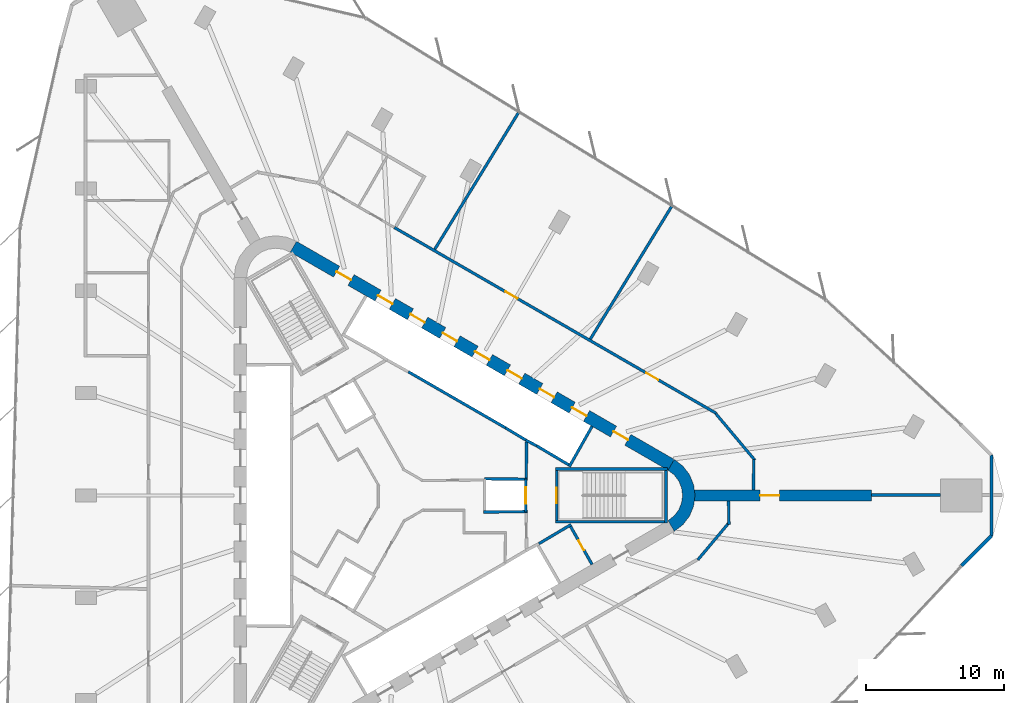
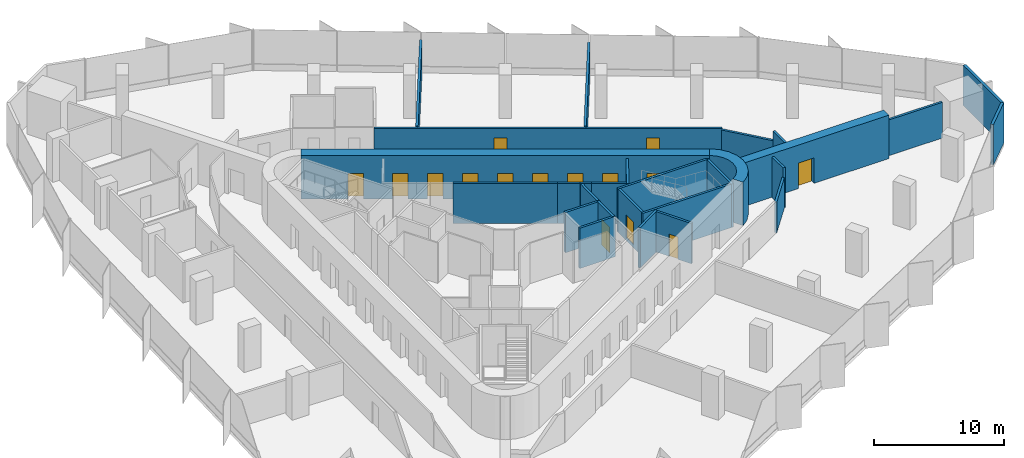
# One storey, part 12 of 14: 28 walls, 15 doors, 15 openings.
"""IFC4 building model written with IfcOpenShell, lengths in metres."""

from ifc_helpers import new_model, si_unit, direction, frame, frame_2d, origin, place, context, subcontext, project, spatial, polyline, rectangle, outline, extrude, material, layer, layer_set, type_object, element, fill, save


model = new_model("IFC4")

# Units and contexts
model_context = context("Model", 3, precision=1e-05, world=origin(), true_north=direction((0.0, 1.0)))
body_context = subcontext(model_context, "Body", "Model", "MODEL_VIEW")
ifc_project = project(units=[si_unit("LENGTHUNIT", "METRE"), si_unit("AREAUNIT", "SQUARE_METRE"), si_unit("VOLUMEUNIT", "CUBIC_METRE"), si_unit("PLANEANGLEUNIT", "RADIAN"), si_unit("MASSUNIT", "GRAM", prefix="KILO")], contexts=[model_context])

# Site, building, storey
site_placement = place(None, origin())
site = spatial("IfcSite", under=ifc_project, at=site_placement, CompositionType="ELEMENT")
building_placement = place(site_placement, origin())
building = spatial("IfcBuilding", under=site, at=building_placement, Name="Tanit Gate Tower", CompositionType="ELEMENT")
storey_placement = place(building_placement, frame((0.0, 0.0, 127.5)))
storey = spatial("IfcBuildingStorey", under=building, at=storey_placement, Name="L27", CompositionType="ELEMENT", Elevation=127.5)

# Wall, opening, door
ifc_material_1 = material(Name="Concrete C60/75", Category="concrete")
ifc_layer_1 = layer(ifc_material_1, 0.800048828125)
ifc_layer_set_1 = layer_set([ifc_layer_1], Name="BUTTRESS FIN 800 C60/75")
wall_type_1 = type_object("IfcWallType", Name="BUTTRESS FIN 800 C60/75", PredefinedType="SHEAR", material=ifc_layer_set_1)
wall_1_placement = place(storey_placement, frame((21.14990234375, 0.0, 0.0), z_axis=(0.0, 0.0, 1.0), x_axis=(1.0, 0.0, 0.0)))
wall_1 = element("IfcWall", 1, at=wall_1_placement, inside=storey, type_object=wall_type_1, Name="BUTTRESS FIN", PredefinedType="SHEAR", context=body_context, shape_type="SweptSolid", body=[
    extrude(rectangle(XDim=12.8125, YDim=0.800048828125, at=frame_2d((6.40625, 0.0))), origin(), (0.0, 0.0, 1.0), 4.10009765625),
])
opening_1_placement = place(wall_1_placement, frame((4.75, 0.0, 0.0)))
opening_1 = element("IfcOpeningElement", 2, at=opening_1_placement, cuts=wall_1, Name="Opening P14-S06-F-E-1", PredefinedType="OPENING", context=body_context, shape_type="SweptSolid", body=[
    extrude(rectangle(XDim=1.39990234375, YDim=2.39990234375, at=frame_2d((0.699951171875, 1.199951171875))), frame((0.0, 0.41015625, 0.0), z_axis=(0.0, -1.0, 0.0), x_axis=(1.0, 0.0, 0.0)), (0.0, 0.0, 1.0), 0.820068359375),
])
ifc_material_2 = material(Name="Timber door leaf", Category="wood")
door_type_1 = type_object("IfcDoorType", Name="INT-DOOR-FIN-PAIR-1400", OperationType="NOTDEFINED", PredefinedType="NOTDEFINED", material=ifc_material_2)
door_1_placement = place(opening_1_placement, origin())
door_1 = element("IfcDoor", 3, at=door_1_placement, inside=storey, type_object=door_type_1, Name="Door P14-S06-F-E-1", OperationType="DOUBLE_DOOR_SINGLE_SWING", OverallHeight=2.39990234375, OverallWidth=1.39990234375, PredefinedType="NOTDEFINED", context=body_context, shape_type="SweptSolid", body=[
    extrude(rectangle(XDim=1.39990234375, YDim=2.39990234375, at=frame_2d((0.699951171875, 1.199951171875))), frame((0.0, 0.02490234375, 0.0), z_axis=(0.0, -1.0, 0.0), x_axis=(1.0, 0.0, 0.0)), (0.0, 0.0, 1.0), 0.050048828125),
])
fill(opening_1, door_1)

# Wall, openings, doors
ifc_material_3 = material(Name="Concrete C60/75", Category="concrete")
ifc_layer_2 = layer(ifc_material_3, 0.89990234375)
ifc_layer_set_2 = layer_set([ifc_layer_2], Name="CORE WALL 900 C60/75")
wall_type_2 = type_object("IfcWallType", Name="CORE WALL 900 C60/75", PredefinedType="SHEAR", material=ifc_layer_set_2)
wall_2_placement = place(storey_placement, frame((19.47509765625, 2.20849609375, 0.0), z_axis=(0.0, 0.0, 1.0), x_axis=(-0.866028369851, 0.499994862586, 0.0)))
wall_2 = element("IfcWall", 4, at=wall_2_placement, inside=storey, type_object=wall_type_2, Name="CORE WALL", PredefinedType="SHEAR", context=body_context, shape_type="SweptSolid", body=[
    extrude(rectangle(XDim=31.523193359375, YDim=0.89990234375, at=frame_2d((15.76171875, 0.0))), origin(), (0.0, 0.0, 1.0), 4.10009765625),
])
opening_2_placement = place(wall_2_placement, frame((7.0615234375, 0.0, 0.0)))
opening_2 = element("IfcOpeningElement", 5, at=opening_2_placement, cuts=wall_2, Name="Opening LDLL8-S06", PredefinedType="OPENING", context=body_context, shape_type="SweptSolid", body=[
    extrude(rectangle(XDim=1.199951171875, YDim=2.39990234375, at=frame_2d((0.60009765625, 1.199951171875))), frame((0.0, 0.4599609375, 0.0), z_axis=(0.0, -1.0, 0.0), x_axis=(1.0, 0.0, 0.0)), (0.0, 0.0, 1.0), 0.919921875),
])
opening_3_placement = place(wall_2_placement, frame((9.76171875, 0.0, 0.0)))
opening_3 = element("IfcOpeningElement", 6, at=opening_3_placement, cuts=wall_2, Name="Opening LDLL9-S06", PredefinedType="OPENING", context=body_context, shape_type="SweptSolid", body=[
    extrude(rectangle(XDim=1.199951171875, YDim=2.39990234375, at=frame_2d((0.60009765625, 1.199951171875))), frame((0.0, 0.4599609375, 0.0), z_axis=(0.0, -1.0, 0.0), x_axis=(1.0, 0.0, 0.0)), (0.0, 0.0, 1.0), 0.919921875),
])
opening_4_placement = place(wall_2_placement, frame((12.461669921875, 0.0, 0.0)))
opening_4 = element("IfcOpeningElement", 7, at=opening_4_placement, cuts=wall_2, Name="Opening LDLL10-S06", PredefinedType="OPENING", context=body_context, shape_type="SweptSolid", body=[
    extrude(rectangle(XDim=1.199951171875, YDim=2.39990234375, at=frame_2d((0.60009765625, 1.199951171875))), frame((0.0, 0.4599609375, 0.0), z_axis=(0.0, -1.0, 0.0), x_axis=(1.0, 0.0, 0.0)), (0.0, 0.0, 1.0), 0.919921875),
])
opening_5_placement = place(wall_2_placement, frame((15.16162109375, 0.0, 0.0)))
opening_5 = element("IfcOpeningElement", 8, at=opening_5_placement, cuts=wall_2, Name="Opening LDSL1-S06", PredefinedType="OPENING", context=body_context, shape_type="SweptSolid", body=[
    extrude(rectangle(XDim=1.199951171875, YDim=2.39990234375, at=frame_2d((0.60009765625, 1.199951171875))), frame((0.0, 0.4599609375, 0.0), z_axis=(0.0, -1.0, 0.0), x_axis=(1.0, 0.0, 0.0)), (0.0, 0.0, 1.0), 0.919921875),
])
opening_6_placement = place(wall_2_placement, frame((17.861572265625, 0.0, 0.0)))
opening_6 = element("IfcOpeningElement", 9, at=opening_6_placement, cuts=wall_2, Name="Opening LDSL2-S06", PredefinedType="OPENING", context=body_context, shape_type="SweptSolid", body=[
    extrude(rectangle(XDim=1.199951171875, YDim=2.39990234375, at=frame_2d((0.60009765625, 1.199951171875))), frame((0.0, 0.4599609375, 0.0), z_axis=(0.0, -1.0, 0.0), x_axis=(1.0, 0.0, 0.0)), (0.0, 0.0, 1.0), 0.919921875),
])
opening_7_placement = place(wall_2_placement, frame((20.5615234375, 0.0, 0.0)))
opening_7 = element("IfcOpeningElement", 10, at=opening_7_placement, cuts=wall_2, Name="Opening LDSL3-S06", PredefinedType="OPENING", context=body_context, shape_type="SweptSolid", body=[
    extrude(rectangle(XDim=1.199951171875, YDim=2.39990234375, at=frame_2d((0.60009765625, 1.199951171875))), frame((0.0, 0.4599609375, 0.0), z_axis=(0.0, -1.0, 0.0), x_axis=(1.0, 0.0, 0.0)), (0.0, 0.0, 1.0), 0.919921875),
])
opening_8_placement = place(wall_2_placement, frame((23.26171875, 0.0, 0.0)))
opening_8 = element("IfcOpeningElement", 11, at=opening_8_placement, cuts=wall_2, Name="Opening LDSL4-S06", PredefinedType="OPENING", context=body_context, shape_type="SweptSolid", body=[
    extrude(rectangle(XDim=1.199951171875, YDim=2.39990234375, at=frame_2d((0.60009765625, 1.199951171875))), frame((0.0, 0.4599609375, 0.0), z_axis=(0.0, -1.0, 0.0), x_axis=(1.0, 0.0, 0.0)), (0.0, 0.0, 1.0), 0.919921875),
])
opening_9_placement = place(wall_2_placement, frame((3.611572265625, 0.0, 0.0)))
opening_9 = element("IfcOpeningElement", 12, at=opening_9_placement, cuts=wall_2, Name="Opening F12-S06-FL1", PredefinedType="OPENING", context=body_context, shape_type="SweptSolid", body=[
    extrude(rectangle(XDim=1.199951171875, YDim=2.39990234375, at=frame_2d((0.60009765625, 1.199951171875))), frame((0.0, 0.4599609375, 0.0), z_axis=(0.0, -1.0, 0.0), x_axis=(1.0, 0.0, 0.0)), (0.0, 0.0, 1.0), 0.919921875),
])
opening_10_placement = place(wall_2_placement, frame((26.711669921875, 0.0, 0.0)))
opening_10 = element("IfcOpeningElement", 13, at=opening_10_placement, cuts=wall_2, Name="Opening F12-S06-S2", PredefinedType="OPENING", context=body_context, shape_type="SweptSolid", body=[
    extrude(rectangle(XDim=1.199951171875, YDim=2.39990234375, at=frame_2d((0.60009765625, 1.199951171875))), frame((0.0, 0.4599609375, 0.0), z_axis=(0.0, -1.0, 0.0), x_axis=(1.0, 0.0, 0.0)), (0.0, 0.0, 1.0), 0.919921875),
])
ifc_material_4 = material(Name="Fire-rated steel door leaf", Category="steel")
door_type_2 = type_object("IfcDoorType", Name="INT-DOOR-FIRE-LOBBY-1200", OperationType="NOTDEFINED", PredefinedType="USERDEFINED", material=ifc_material_4)
door_2_placement = place(opening_9_placement, origin())
door_2 = element("IfcDoor", 14, at=door_2_placement, inside=storey, type_object=door_type_2, Name="Door F12-S06-FL1", ObjectType="FIRE DOOR", OperationType="SINGLE_SWING_RIGHT", OverallHeight=2.39990234375, OverallWidth=1.199951171875, PredefinedType="USERDEFINED", context=body_context, shape_type="SweptSolid", body=[
    extrude(rectangle(XDim=1.199951171875, YDim=2.39990234375, at=frame_2d((0.60009765625, 1.199951171875))), frame((0.0, 0.02490234375, 0.0), z_axis=(0.0, -1.0, 0.0), x_axis=(1.0, 0.0, 0.0)), (0.0, 0.0, 1.0), 0.050048828125),
])
fill(opening_9, door_2)
door_3_placement = place(opening_10_placement, origin())
door_3 = element("IfcDoor", 15, at=door_3_placement, inside=storey, type_object=door_type_2, Name="Door F12-S06-S2", ObjectType="FIRE DOOR", OperationType="SINGLE_SWING_RIGHT", OverallHeight=2.39990234375, OverallWidth=1.199951171875, PredefinedType="USERDEFINED", context=body_context, shape_type="SweptSolid", body=[
    extrude(rectangle(XDim=1.199951171875, YDim=2.39990234375, at=frame_2d((0.60009765625, 1.199951171875))), frame((0.0, 0.02490234375, 0.0), z_axis=(0.0, -1.0, 0.0), x_axis=(1.0, 0.0, 0.0)), (0.0, 0.0, 1.0), 0.050048828125),
])
fill(opening_10, door_3)
ifc_material_5 = material(Name="Stainless steel sliding door leaf", Category="steel")
door_type_3 = type_object("IfcDoorType", Name="INT-DOOR-LANDING-1200", OperationType="NOTDEFINED", PredefinedType="USERDEFINED", material=ifc_material_5)
door_4_placement = place(opening_2_placement, origin())
door_4 = element("IfcDoor", 16, at=door_4_placement, inside=storey, type_object=door_type_3, Name="Door LDLL8-S06", ObjectType="LANDING DOOR", OperationType="SLIDING_TO_LEFT", OverallHeight=2.39990234375, OverallWidth=1.199951171875, PredefinedType="USERDEFINED", context=body_context, shape_type="SweptSolid", body=[
    extrude(rectangle(XDim=1.199951171875, YDim=2.39990234375, at=frame_2d((0.60009765625, 1.199951171875))), frame((0.0, 0.02490234375, 0.0), z_axis=(0.0, -1.0, 0.0), x_axis=(1.0, 0.0, 0.0)), (0.0, 0.0, 1.0), 0.050048828125),
])
fill(opening_2, door_4)
door_5_placement = place(opening_3_placement, origin())
door_5 = element("IfcDoor", 17, at=door_5_placement, inside=storey, type_object=door_type_3, Name="Door LDLL9-S06", ObjectType="LANDING DOOR", OperationType="SLIDING_TO_LEFT", OverallHeight=2.39990234375, OverallWidth=1.199951171875, PredefinedType="USERDEFINED", context=body_context, shape_type="SweptSolid", body=[
    extrude(rectangle(XDim=1.199951171875, YDim=2.39990234375, at=frame_2d((0.60009765625, 1.199951171875))), frame((0.0, 0.02490234375, 0.0), z_axis=(0.0, -1.0, 0.0), x_axis=(1.0, 0.0, 0.0)), (0.0, 0.0, 1.0), 0.050048828125),
])
fill(opening_3, door_5)
door_6_placement = place(opening_4_placement, origin())
door_6 = element("IfcDoor", 18, at=door_6_placement, inside=storey, type_object=door_type_3, Name="Door LDLL10-S06", ObjectType="LANDING DOOR", OperationType="SLIDING_TO_LEFT", OverallHeight=2.39990234375, OverallWidth=1.199951171875, PredefinedType="USERDEFINED", context=body_context, shape_type="SweptSolid", body=[
    extrude(rectangle(XDim=1.199951171875, YDim=2.39990234375, at=frame_2d((0.60009765625, 1.199951171875))), frame((0.0, 0.02490234375, 0.0), z_axis=(0.0, -1.0, 0.0), x_axis=(1.0, 0.0, 0.0)), (0.0, 0.0, 1.0), 0.050048828125),
])
fill(opening_4, door_6)
door_7_placement = place(opening_5_placement, origin())
door_7 = element("IfcDoor", 19, at=door_7_placement, inside=storey, type_object=door_type_3, Name="Door LDSL1-S06", ObjectType="LANDING DOOR", OperationType="SLIDING_TO_LEFT", OverallHeight=2.39990234375, OverallWidth=1.199951171875, PredefinedType="USERDEFINED", context=body_context, shape_type="SweptSolid", body=[
    extrude(rectangle(XDim=1.199951171875, YDim=2.39990234375, at=frame_2d((0.60009765625, 1.199951171875))), frame((0.0, 0.02490234375, 0.0), z_axis=(0.0, -1.0, 0.0), x_axis=(1.0, 0.0, 0.0)), (0.0, 0.0, 1.0), 0.050048828125),
])
fill(opening_5, door_7)
door_8_placement = place(opening_6_placement, origin())
door_8 = element("IfcDoor", 20, at=door_8_placement, inside=storey, type_object=door_type_3, Name="Door LDSL2-S06", ObjectType="LANDING DOOR", OperationType="SLIDING_TO_LEFT", OverallHeight=2.39990234375, OverallWidth=1.199951171875, PredefinedType="USERDEFINED", context=body_context, shape_type="SweptSolid", body=[
    extrude(rectangle(XDim=1.199951171875, YDim=2.39990234375, at=frame_2d((0.60009765625, 1.199951171875))), frame((0.0, 0.02490234375, 0.0), z_axis=(0.0, -1.0, 0.0), x_axis=(1.0, 0.0, 0.0)), (0.0, 0.0, 1.0), 0.050048828125),
])
fill(opening_6, door_8)
door_9_placement = place(opening_7_placement, origin())
door_9 = element("IfcDoor", 21, at=door_9_placement, inside=storey, type_object=door_type_3, Name="Door LDSL3-S06", ObjectType="LANDING DOOR", OperationType="SLIDING_TO_LEFT", OverallHeight=2.39990234375, OverallWidth=1.199951171875, PredefinedType="USERDEFINED", context=body_context, shape_type="SweptSolid", body=[
    extrude(rectangle(XDim=1.199951171875, YDim=2.39990234375, at=frame_2d((0.60009765625, 1.199951171875))), frame((0.0, 0.02490234375, 0.0), z_axis=(0.0, -1.0, 0.0), x_axis=(1.0, 0.0, 0.0)), (0.0, 0.0, 1.0), 0.050048828125),
])
fill(opening_7, door_9)
door_10_placement = place(opening_8_placement, origin())
door_10 = element("IfcDoor", 22, at=door_10_placement, inside=storey, type_object=door_type_3, Name="Door LDSL4-S06", ObjectType="LANDING DOOR", OperationType="SLIDING_TO_LEFT", OverallHeight=2.39990234375, OverallWidth=1.199951171875, PredefinedType="USERDEFINED", context=body_context, shape_type="SweptSolid", body=[
    extrude(rectangle(XDim=1.199951171875, YDim=2.39990234375, at=frame_2d((0.60009765625, 1.199951171875))), frame((0.0, 0.02490234375, 0.0), z_axis=(0.0, -1.0, 0.0), x_axis=(1.0, 0.0, 0.0)), (0.0, 0.0, 1.0), 0.050048828125),
])
fill(opening_8, door_10)

# Walls
wall_3_placement = place(storey_placement, origin())
element("IfcWall", 23, at=wall_3_placement, inside=storey, type_object=wall_type_2, Name="CORE WALL CORNER", PredefinedType="SHEAR", context=body_context, shape_type="SweptSolid", body=[
    extrude(outline(polyline([(19.699951171875, -2.59814453125), (20.3212890625, -2.121337890625), (20.798095703125, -1.5), (21.097900390625, -0.776611328125), (21.199951171875, 0.0), (21.097900390625, 0.776611328125), (20.798095703125, 1.5), (20.3212890625, 2.121337890625), (19.699951171875, 2.59814453125), (19.25, 1.818603515625), (19.684814453125, 1.48486328125), (20.018798828125, 1.050048828125), (20.228515625, 0.54345703125), (20.300048828125, 0.0), (20.228515625, -0.54345703125), (20.018798828125, -1.050048828125), (19.684814453125, -1.48486328125), (19.25, -1.818603515625), (19.699951171875, -2.59814453125)])), origin(), (0.0, 0.0, 1.0), 4.10009765625),
])
ifc_material_6 = material(Name="Concrete C30/37 with bronze anodised aluminium cladding", Category="concrete")
ifc_layer_3 = layer(ifc_material_6, 0.239990234375)
ifc_layer_set_3 = layer_set([ifc_layer_3], Name="Facade wall bronze clad 240")
wall_type_3 = type_object("IfcWallType", Name="Facade wall bronze clad 240", PredefinedType="SOLIDWALL", material=ifc_layer_set_3)
wall_4_placement = place(storey_placement, frame((40.45166015625, -5.091064453125, 0.0), z_axis=(0.0, 0.0, 1.0), x_axis=(0.707106781187, 0.707106781187, 0.0)))
element("IfcWall", 24, at=wall_4_placement, inside=storey, type_object=wall_type_3, Name="Bronze-clad facade wall L27 E.arc1", PredefinedType="SOLIDWALL", context=body_context, shape_type="SweptSolid", body=[
    extrude(rectangle(XDim=3.062744140625, YDim=0.239990234375, at=frame_2d((1.53125, 0.0))), origin(), (0.0, 0.0, 1.0), 3.800048828125),
])
wall_5_placement = place(storey_placement, frame((42.617431640625, -2.92529296875, 0.0), z_axis=(0.0, 0.0, 1.0), x_axis=(0.0, 1.0, 0.0)))
element("IfcWall", 25, at=wall_5_placement, inside=storey, type_object=wall_type_3, Name="Bronze-clad facade wall L27 E.arc2", PredefinedType="SOLIDWALL", context=body_context, shape_type="SweptSolid", body=[
    extrude(rectangle(XDim=5.8505859375, YDim=0.239990234375, at=frame_2d((2.92529296875, 0.0))), origin(), (0.0, 0.0, 1.0), 3.800048828125),
])
ifc_material_7 = material(Name="Fire-rated gypsum board partition")
ifc_layer_4 = layer(ifc_material_7, 0.199951171875)
ifc_layer_set_4 = layer_set([ifc_layer_4], Name="INT-WALL-COMPARTMENT")
wall_type_4 = type_object("IfcWallType", Name="INT-WALL-COMPARTMENT", PredefinedType="PARTITIONING", material=ifc_layer_set_4)
wall_6_placement = place(storey_placement, frame((12.244873046875, -2.10888671875, 0.0), z_axis=(0.0, 0.0, 1.0), x_axis=(-0.860414880418, -0.509594185166, 0.0)))
element("IfcWall", 26, at=wall_6_placement, inside=storey, type_object=wall_type_4, Name="Wall Compartment W057", PredefinedType="PARTITIONING", context=body_context, shape_type="SweptSolid", body=[
    extrude(rectangle(XDim=2.7001953125, YDim=0.199951171875, at=frame_2d((1.35009765625, 0.0))), origin(), (0.0, 0.0, 1.0), 3.800048828125),
])

# Wall, opening, door
wall_7_placement = place(storey_placement, frame((13.758056640625, -4.989501953125, 0.0), z_axis=(0.0, 0.0, 1.0), x_axis=(-0.491993409184, 0.87059892334, 0.0)))
wall_7 = element("IfcWall", 27, at=wall_7_placement, inside=storey, type_object=wall_type_4, Name="Wall Compartment W058", PredefinedType="PARTITIONING", context=body_context, shape_type="SweptSolid", body=[
    extrude(rectangle(XDim=3.150146484375, YDim=0.199951171875, at=frame_2d((1.5751953125, 0.0))), origin(), (0.0, 0.0, 1.0), 3.800048828125),
])
opening_11_placement = place(wall_7_placement, frame((1.175048828125, 0.0, 0.0)))
opening_11 = element("IfcOpeningElement", 28, at=opening_11_placement, cuts=wall_7, Name="Opening R08-S06-13", PredefinedType="OPENING", context=body_context, shape_type="SweptSolid", body=[
    extrude(rectangle(XDim=0.800048828125, YDim=2.10009765625, at=frame_2d((0.39990234375, 1.050048828125))), frame((0.0, 0.10986328125, 0.0), z_axis=(0.0, -1.0, 0.0), x_axis=(1.0, 0.0, 0.0)), (0.0, 0.0, 1.0), 0.219970703125),
])
ifc_material_8 = material(Name="Timber door leaf", Category="wood")
door_type_4 = type_object("IfcDoorType", Name="INT-DOOR-RISER-800", OperationType="NOTDEFINED", PredefinedType="USERDEFINED", material=ifc_material_8)
door_11_placement = place(opening_11_placement, origin())
door_11 = element("IfcDoor", 29, at=door_11_placement, inside=storey, type_object=door_type_4, Name="Door R08-S06-13", ObjectType="FIRE DOOR", OperationType="SINGLE_SWING_RIGHT", OverallHeight=2.10009765625, OverallWidth=0.800048828125, PredefinedType="USERDEFINED", context=body_context, shape_type="SweptSolid", body=[
    extrude(rectangle(XDim=0.800048828125, YDim=2.10009765625, at=frame_2d((0.39990234375, 1.050048828125))), frame((0.0, 0.02490234375, 0.0), z_axis=(0.0, -1.0, 0.0), x_axis=(1.0, 0.0, 0.0)), (0.0, 0.0, 1.0), 0.050048828125),
])
fill(opening_11, door_11)

# Wall
wall_8_placement = place(storey_placement, frame((9.0009765625, 1.27001953125, 0.0), z_axis=(0.0, 0.0, 1.0), x_axis=(0.010784614026, 0.999941844359, 0.0)))
element("IfcWall", 30, at=wall_8_placement, inside=storey, type_object=wall_type_4, Name="Wall Compartment W059", PredefinedType="PARTITIONING", context=body_context, shape_type="SweptSolid", body=[
    extrude(rectangle(XDim=2.580810546875, YDim=0.199951171875, at=frame_2d((1.29052734375, 0.0))), origin(), (0.0, 0.0, 1.0), 3.800048828125),
])

# Wall, openings, doors
wall_9_placement = place(storey_placement, frame((22.727294921875, 5.930908203125, 0.0), z_axis=(0.0, 0.0, 1.0), x_axis=(-0.866024609098, 0.500001376435, 0.0)))
wall_9 = element("IfcWall", 31, at=wall_9_placement, inside=storey, type_object=wall_type_4, Name="Wall Compartment W101", PredefinedType="PARTITIONING", context=body_context, shape_type="SweptSolid", body=[
    extrude(rectangle(XDim=26.84716796875, YDim=0.199951171875, at=frame_2d((13.423583984375, 0.0))), origin(), (0.0, 0.0, 1.0), 2.97998046875),
])
opening_12_placement = place(wall_9_placement, frame((16.57763671875, 0.0, 0.0)))
opening_12 = element("IfcOpeningElement", 32, at=opening_12_placement, cuts=wall_9, Name="Opening F10-S06-24", PredefinedType="OPENING", context=body_context, shape_type="SweptSolid", body=[
    extrude(rectangle(XDim=1.0, YDim=2.10009765625, at=frame_2d((0.5, 1.050048828125))), frame((0.0, 0.10986328125, 0.0), z_axis=(0.0, -1.0, 0.0), x_axis=(1.0, 0.0, 0.0)), (0.0, 0.0, 1.0), 0.219970703125),
])
opening_13_placement = place(wall_9_placement, frame((4.828857421875, 0.0, 0.0)))
opening_13 = element("IfcOpeningElement", 33, at=opening_13_placement, cuts=wall_9, Name="Opening F10-S06-25", PredefinedType="OPENING", context=body_context, shape_type="SweptSolid", body=[
    extrude(rectangle(XDim=1.0, YDim=2.10009765625, at=frame_2d((0.5, 1.050048828125))), frame((0.0, 0.10986328125, 0.0), z_axis=(0.0, -1.0, 0.0), x_axis=(1.0, 0.0, 0.0)), (0.0, 0.0, 1.0), 0.219970703125),
])
ifc_material_9 = material(Name="Fire-rated steel door leaf", Category="steel")
door_type_5 = type_object("IfcDoorType", Name="INT-DOOR-FIRE-1000", OperationType="NOTDEFINED", PredefinedType="USERDEFINED", material=ifc_material_9)
door_12_placement = place(opening_12_placement, origin())
door_12 = element("IfcDoor", 34, at=door_12_placement, inside=storey, type_object=door_type_5, Name="Door F10-S06-24", ObjectType="FIRE DOOR", OperationType="SINGLE_SWING_RIGHT", OverallHeight=2.10009765625, OverallWidth=1.0, PredefinedType="USERDEFINED", context=body_context, shape_type="SweptSolid", body=[
    extrude(rectangle(XDim=1.0, YDim=2.10009765625, at=frame_2d((0.5, 1.050048828125))), frame((0.0, 0.02490234375, 0.0), z_axis=(0.0, -1.0, 0.0), x_axis=(1.0, 0.0, 0.0)), (0.0, 0.0, 1.0), 0.050048828125),
])
fill(opening_12, door_12)
door_13_placement = place(opening_13_placement, origin())
door_13 = element("IfcDoor", 35, at=door_13_placement, inside=storey, type_object=door_type_5, Name="Door F10-S06-25", ObjectType="FIRE DOOR", OperationType="SINGLE_SWING_RIGHT", OverallHeight=2.10009765625, OverallWidth=1.0, PredefinedType="USERDEFINED", context=body_context, shape_type="SweptSolid", body=[
    extrude(rectangle(XDim=1.0, YDim=2.10009765625, at=frame_2d((0.5, 1.050048828125))), frame((0.0, 0.02490234375, 0.0), z_axis=(0.0, -1.0, 0.0), x_axis=(1.0, 0.0, 0.0)), (0.0, 0.0, 1.0), 0.050048828125),
])
fill(opening_13, door_13)

# Walls
wall_10_placement = place(storey_placement, frame((25.52099609375, 2.548095703125, 0.0), z_axis=(0.0, 0.0, 1.0), x_axis=(-0.642784253626, 0.766047259176, 0.0)))
element("IfcWall", 36, at=wall_10_placement, inside=storey, type_object=wall_type_4, Name="Wall Compartment W102", PredefinedType="PARTITIONING", context=body_context, shape_type="SweptSolid", body=[
    extrude(rectangle(XDim=4.381103515625, YDim=0.199951171875, at=frame_2d((2.1904296875, 0.0))), origin(), (0.0, 0.0, 1.0), 2.8798828125),
])
wall_11_placement = place(storey_placement, frame((25.420654296875, 0.39990234375, 0.0), z_axis=(0.0, 0.0, 1.0), x_axis=(0.011376843137, 0.999935281626, 0.0)))
element("IfcWall", 37, at=wall_11_placement, inside=storey, type_object=wall_type_4, Name="Wall Compartment W103", PredefinedType="PARTITIONING", context=body_context, shape_type="SweptSolid", body=[
    extrude(rectangle(XDim=2.18896484375, YDim=0.199951171875, at=frame_2d((1.094482421875, 0.0))), origin(), (0.0, 0.0, 1.0), 3.800048828125),
])
wall_12_placement = place(storey_placement, frame((23.64794921875, -2.097900390625, 0.0), z_axis=(0.0, 0.0, 1.0), x_axis=(-0.015095332307, 0.99988605898, 0.0)))
element("IfcWall", 38, at=wall_12_placement, inside=storey, type_object=wall_type_4, Name="Wall Compartment W106", PredefinedType="PARTITIONING", context=body_context, shape_type="SweptSolid", body=[
    extrude(rectangle(XDim=1.6982421875, YDim=0.199951171875, at=frame_2d((0.84912109375, 0.0))), origin(), (0.0, 0.0, 1.0), 3.800048828125),
])
wall_13_placement = place(storey_placement, frame((21.4013671875, -4.657470703125, 0.0), z_axis=(0.0, 0.0, 1.0), x_axis=(0.642796210095, 0.766037226437, 0.0)))
element("IfcWall", 39, at=wall_13_placement, inside=storey, type_object=wall_type_4, Name="Wall Compartment W107", PredefinedType="PARTITIONING", context=body_context, shape_type="SweptSolid", body=[
    extrude(rectangle(XDim=3.44287109375, YDim=0.199951171875, at=frame_2d((1.721435546875, 0.0))), origin(), (0.0, 0.0, 1.0), 2.8798828125),
])
wall_14_placement = place(storey_placement, frame((2.395263671875, 17.78515625, 0.0), z_axis=(0.0, 0.0, 1.0), x_axis=(0.522409107214, 0.852694977527, 0.0)))
element("IfcWall", 40, at=wall_14_placement, inside=storey, type_object=wall_type_4, Name="Wall Compartment W124", PredefinedType="PARTITIONING", context=body_context, shape_type="SweptSolid", body=[
    extrude(rectangle(XDim=11.641357421875, YDim=0.199951171875, at=frame_2d((5.82080078125, 0.0))), origin(), (0.0, 0.0, 1.0), 3.080078125),
])
wall_15_placement = place(storey_placement, frame((19.540771484375, 20.933349609375, 0.0), z_axis=(0.0, 0.0, 1.0), x_axis=(-0.522401997829, -0.852699333097, 0.0)))
element("IfcWall", 41, at=wall_15_placement, inside=storey, type_object=wall_type_4, Name="Wall Compartment W130", PredefinedType="PARTITIONING", context=body_context, shape_type="SweptSolid", body=[
    extrude(rectangle(XDim=11.30322265625, YDim=0.199951171875, at=frame_2d((5.651611328125, 0.0))), origin(), (0.0, 0.0, 1.0), 3.080078125),
])
wall_16_placement = place(storey_placement, frame((38.92529296875, 0.030029296875, 0.0), z_axis=(0.0, 0.0, 1.0), x_axis=(-1.0, 0.0, 0.0)))
element("IfcWall", 42, at=wall_16_placement, inside=storey, type_object=wall_type_4, Name="Wall Compartment W131", PredefinedType="PARTITIONING", context=body_context, shape_type="SweptSolid", body=[
    extrude(rectangle(XDim=4.962890625, YDim=0.199951171875, at=frame_2d((2.4814453125, 0.0))), origin(), (0.0, 0.0, 1.0), 3.3701171875),
])
ifc_material_10 = material(Name="Gypsum shaft wall system")
ifc_layer_5 = layer(ifc_material_10, 0.199951171875)
ifc_layer_set_5 = layer_set([ifc_layer_5], Name="INT-WALL-SHAFT")
wall_type_5 = type_object("IfcWallType", Name="INT-WALL-SHAFT", PredefinedType="PLUMBINGWALL", material=ifc_layer_set_5)
wall_17_placement = place(storey_placement, frame((7.497314453125, 4.885986328125, 0.0), z_axis=(0.0, 0.0, 1.0), x_axis=(-0.866030989016, 0.499990325971, 0.0)))
element("IfcWall", 43, at=wall_17_placement, inside=storey, type_object=wall_type_5, Name="Wall Shaft W003", PredefinedType="PLUMBINGWALL", context=body_context, shape_type="SweptSolid", body=[
    extrude(rectangle(XDim=8.099853515625, YDim=0.199951171875, at=frame_2d((4.0498046875, 0.0))), origin(), (0.0, 0.0, 1.0), 3.800048828125),
])
wall_18_placement = place(storey_placement, frame((12.10986328125, 2.07275390625, 0.0), z_axis=(0.0, 0.0, 1.0), x_axis=(0.49196600604, 0.870614408852, 0.0)))
element("IfcWall", 44, at=wall_18_placement, inside=storey, type_object=wall_type_5, Name="Wall Shaft W013", PredefinedType="PLUMBINGWALL", context=body_context, shape_type="SweptSolid", body=[
    extrude(rectangle(XDim=3.35009765625, YDim=0.199951171875, at=frame_2d((1.675048828125, 0.0))), origin(), (0.0, 0.0, 1.0), 3.800048828125),
])
wall_19_placement = place(storey_placement, frame((12.072998046875, 2.2109375, 0.0), z_axis=(0.0, 0.0, 1.0), x_axis=(-0.860438357912, 0.509554542943, 0.0)))
element("IfcWall", 45, at=wall_19_placement, inside=storey, type_object=wall_type_5, Name="Wall Shaft W014", PredefinedType="PLUMBINGWALL", context=body_context, shape_type="SweptSolid", body=[
    extrude(rectangle(XDim=2.700439453125, YDim=0.199951171875, at=frame_2d((1.35009765625, 0.0))), origin(), (0.0, 0.0, 1.0), 3.800048828125),
])
wall_20_placement = place(storey_placement, frame((9.74755859375, 3.583251953125, 0.0), z_axis=(0.0, 0.0, 1.0), x_axis=(-0.880917147855, 0.473270513147, 0.0)))
element("IfcWall", 46, at=wall_20_placement, inside=storey, type_object=wall_type_5, Name="Wall Shaft W015", PredefinedType="PLUMBINGWALL", context=body_context, shape_type="SweptSolid", body=[
    extrude(rectangle(XDim=0.8779296875, YDim=0.199951171875, at=frame_2d((0.43896484375, 0.0))), origin(), (0.0, 0.0, 1.0), 3.800048828125),
])
wall_21_placement = place(storey_placement, frame((9.0791015625, 3.93701171875, 0.0), z_axis=(0.0, 0.0, 1.0), x_axis=(-0.857516281273, 0.51445682749, 0.0)))
element("IfcWall", 47, at=wall_21_placement, inside=storey, type_object=wall_type_5, Name="Wall Shaft W016", PredefinedType="PLUMBINGWALL", context=body_context, shape_type="SweptSolid", body=[
    extrude(rectangle(XDim=1.8447265625, YDim=0.199951171875, at=frame_2d((0.92236328125, 0.0))), origin(), (0.0, 0.0, 1.0), 3.800048828125),
])

# Wall, opening, door
wall_22_placement = place(storey_placement, frame((8.969970703125, 1.199951171875, 0.0), z_axis=(0.0, 0.0, 1.0), x_axis=(0.0, -1.0, 0.0)))
wall_22 = element("IfcWall", 48, at=wall_22_placement, inside=storey, type_object=wall_type_5, Name="Wall Shaft W037", PredefinedType="PLUMBINGWALL", context=body_context, shape_type="SweptSolid", body=[
    extrude(rectangle(XDim=2.39990234375, YDim=0.199951171875, at=frame_2d((1.199951171875, 0.0))), origin(), (0.0, 0.0, 1.0), 3.800048828125),
])
opening_14_placement = place(wall_22_placement, frame((0.60009765625, 0.0, 0.0)))
opening_14 = element("IfcOpeningElement", 49, at=opening_14_placement, cuts=wall_22, Name="Opening LDFL1-L27", PredefinedType="OPENING", context=body_context, shape_type="SweptSolid", body=[
    extrude(rectangle(XDim=1.199951171875, YDim=2.39990234375, at=frame_2d((0.60009765625, 1.199951171875))), frame((0.0, 0.10986328125, 0.0), z_axis=(0.0, -1.0, 0.0), x_axis=(1.0, 0.0, 0.0)), (0.0, 0.0, 1.0), 0.219970703125),
])
door_14_placement = place(opening_14_placement, origin())
door_14 = element("IfcDoor", 50, at=door_14_placement, inside=storey, type_object=door_type_3, Name="Door LDFL1-L27", ObjectType="LANDING DOOR", OperationType="SLIDING_TO_LEFT", OverallHeight=2.39990234375, OverallWidth=1.199951171875, PredefinedType="USERDEFINED", context=body_context, shape_type="SweptSolid", body=[
    extrude(rectangle(XDim=1.199951171875, YDim=2.39990234375, at=frame_2d((0.60009765625, 1.199951171875))), frame((0.0, 0.02490234375, 0.0), z_axis=(0.0, -1.0, 0.0), x_axis=(1.0, 0.0, 0.0)), (0.0, 0.0, 1.0), 0.050048828125),
])
fill(opening_14, door_14)

# Walls
wall_23_placement = place(storey_placement, frame((6.0, 1.199951171875, 0.0), z_axis=(0.0, 0.0, 1.0), x_axis=(0.999949988, -0.010001074852, 0.0)))
element("IfcWall", 51, at=wall_23_placement, inside=storey, type_object=wall_type_5, Name="Wall Shaft W038", PredefinedType="PLUMBINGWALL", context=body_context, shape_type="SweptSolid", body=[
    extrude(rectangle(XDim=3.100341796875, YDim=0.199951171875, at=frame_2d((1.55029296875, 0.0))), origin(), (0.0, 0.0, 1.0), 3.800048828125),
])
wall_24_placement = place(storey_placement, frame((5.89990234375, -1.200927734375, 0.0), z_axis=(0.0, 0.0, 1.0), x_axis=(0.999950064753, 0.009993397809, 0.0)))
element("IfcWall", 52, at=wall_24_placement, inside=storey, type_object=wall_type_5, Name="Wall Shaft W039", PredefinedType="PLUMBINGWALL", context=body_context, shape_type="SweptSolid", body=[
    extrude(rectangle(XDim=3.200439453125, YDim=0.199951171875, at=frame_2d((1.60009765625, 0.0))), origin(), (0.0, 0.0, 1.0), 3.800048828125),
])
ifc_material_11 = material(Name="Concrete C40/50", Category="concrete")
ifc_layer_6 = layer(ifc_material_11, 0.199951171875)
ifc_layer_set_6 = layer_set([ifc_layer_6], Name="INT-WALL-STAIR")
wall_type_6 = type_object("IfcWallType", Name="INT-WALL-STAIR", PredefinedType="SHEAR", material=ifc_layer_set_6)
wall_25_placement = place(storey_placement, frame((19.199951171875, 1.89990234375, -0.300048828125), z_axis=(0.0, 0.0, 1.0), x_axis=(-1.0, 0.0, 0.0)))
element("IfcWall", 53, at=wall_25_placement, inside=storey, type_object=wall_type_6, Name="Wall Stair W033", PredefinedType="SHEAR", context=body_context, shape_type="SweptSolid", body=[
    extrude(rectangle(XDim=8.099853515625, YDim=0.199951171875, at=frame_2d((4.0498046875, 0.0))), origin(), (0.0, 0.0, 1.0), 4.10009765625),
])
wall_26_placement = place(storey_placement, frame((19.10009765625, -2.0, -0.300048828125), z_axis=(0.0, 0.0, 1.0), x_axis=(0.0, 1.0, 0.0)))
element("IfcWall", 54, at=wall_26_placement, inside=storey, type_object=wall_type_6, Name="Wall Stair W034", PredefinedType="SHEAR", context=body_context, shape_type="SweptSolid", body=[
    extrude(rectangle(XDim=3.800048828125, YDim=0.199951171875, at=frame_2d((1.89990234375, 0.0))), origin(), (0.0, 0.0, 1.0), 4.10009765625),
])
wall_27_placement = place(storey_placement, frame((11.10009765625, -1.89990234375, -0.300048828125), z_axis=(0.0, 0.0, 1.0), x_axis=(1.0, 0.0, 0.0)))
element("IfcWall", 55, at=wall_27_placement, inside=storey, type_object=wall_type_6, Name="Wall Stair W035", PredefinedType="SHEAR", context=body_context, shape_type="SweptSolid", body=[
    extrude(rectangle(XDim=7.89990234375, YDim=0.199951171875, at=frame_2d((3.949951171875, 0.0))), origin(), (0.0, 0.0, 1.0), 4.10009765625),
])

# Wall, opening, door
wall_28_placement = place(storey_placement, frame((11.199951171875, -1.800048828125, -0.300048828125), z_axis=(0.0, 0.0, 1.0), x_axis=(0.0, 1.0, 0.0)))
wall_28 = element("IfcWall", 56, at=wall_28_placement, inside=storey, type_object=wall_type_6, Name="Wall Stair W036", PredefinedType="SHEAR", context=body_context, shape_type="SweptSolid", body=[
    extrude(rectangle(XDim=3.60009765625, YDim=0.199951171875, at=frame_2d((1.800048828125, 0.0))), origin(), (0.0, 0.0, 1.0), 4.10009765625),
])
opening_15_placement = place(wall_28_placement, frame((1.25, 0.0, 0.300048828125)))
opening_15 = element("IfcOpeningElement", 57, at=opening_15_placement, cuts=wall_28, Name="Opening S11-S06-01", PredefinedType="OPENING", context=body_context, shape_type="SweptSolid", body=[
    extrude(rectangle(XDim=1.10009765625, YDim=2.10009765625, at=frame_2d((0.550048828125, 1.050048828125))), frame((0.0, 0.10986328125, 0.0), z_axis=(0.0, -1.0, 0.0), x_axis=(1.0, 0.0, 0.0)), (0.0, 0.0, 1.0), 0.219970703125),
])
ifc_material_12 = material(Name="Timber door leaf", Category="wood")
door_type_6 = type_object("IfcDoorType", Name="INT-DOOR-STAIR-1100", OperationType="NOTDEFINED", PredefinedType="USERDEFINED", material=ifc_material_12)
door_15_placement = place(opening_15_placement, origin())
door_15 = element("IfcDoor", 58, at=door_15_placement, inside=storey, type_object=door_type_6, Name="Door S11-S06-01", ObjectType="FIRE DOOR", OperationType="SINGLE_SWING_RIGHT", OverallHeight=2.10009765625, OverallWidth=1.10009765625, PredefinedType="USERDEFINED", context=body_context, shape_type="SweptSolid", body=[
    extrude(rectangle(XDim=1.10009765625, YDim=2.10009765625, at=frame_2d((0.550048828125, 1.050048828125))), frame((0.0, 0.02490234375, 0.0), z_axis=(0.0, -1.0, 0.0), x_axis=(1.0, 0.0, 0.0)), (0.0, 0.0, 1.0), 0.050048828125),
])
fill(opening_15, door_15)

save(model, "model.ifc")
